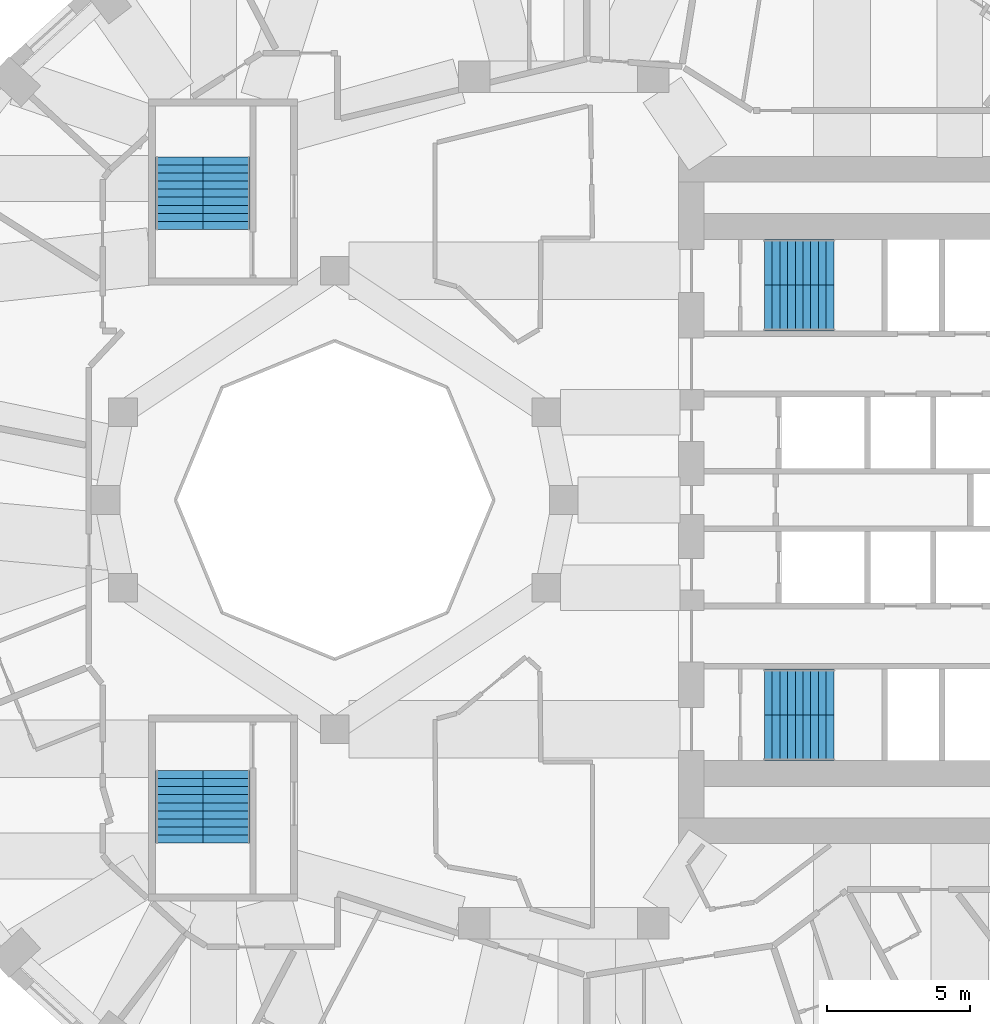
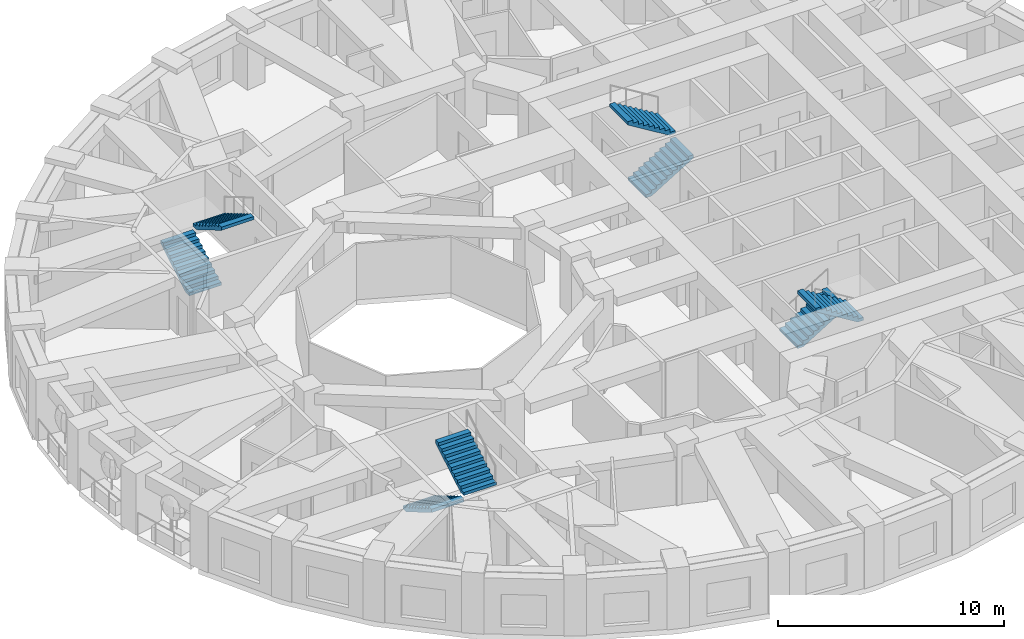
# One storey, part 9 of 12: 8 stair flights, 4 elements without a shape of their own.
"""IFC4 building model written with IfcOpenShell, lengths in metres."""

from ifc_helpers import new_model, si_unit, direction, frame, origin, place, context, subcontext, project, spatial, polyline, outline, extrude, material, type_object, element, aggregate, save


model = new_model("IFC4")

# Units and contexts
model_context = context("Model", 3, precision=1e-05, world=origin(), true_north=direction((0.0, 1.0)))
body_context = subcontext(model_context, "Body", "Model", "MODEL_VIEW")
ifc_project = project(units=[si_unit("LENGTHUNIT", "METRE"), si_unit("AREAUNIT", "SQUARE_METRE"), si_unit("VOLUMEUNIT", "CUBIC_METRE"), si_unit("PLANEANGLEUNIT", "RADIAN"), si_unit("MASSUNIT", "GRAM", prefix="KILO")], contexts=[model_context])

# Site, building, storey
site_placement = place(None, origin())
site = spatial("IfcSite", under=ifc_project, at=site_placement, CompositionType="ELEMENT")
building_placement = place(site_placement, origin())
building = spatial("IfcBuilding", under=site, at=building_placement, Name="Taillehof Tower", CompositionType="ELEMENT")
storey_placement = place(building_placement, frame((0.0, 0.0, 98.800048828125)))
storey = spatial("IfcBuildingStorey", under=building, at=storey_placement, Name="L27", CompositionType="ELEMENT", Elevation=98.800048828125)

# Stair, stair flights
ifc_material_1 = material(Name="Concrete C40/50", Category="concrete")
stair_type = type_object("IfcStairType", Name="Exit stair half-turn", PredefinedType="HALF_TURN_STAIR", material=ifc_material_1)
stair_1_placement = place(storey_placement, origin())
stair_1 = element("IfcStair", 1, at=stair_1_placement, inside=storey, type_object=stair_type, Name="Exit stair S1", PredefinedType="HALF_TURN_STAIR")
ifc_material_2 = material(Name="Concrete C40/50", Category="concrete")
stair_flight_type_1 = type_object("IfcStairFlightType", Name="Stair flight 1600 riser 165.0 going 270", PredefinedType="STRAIGHT", material=ifc_material_2)
stair_flight_1_placement = place(storey_placement, frame((7.0, 6.699951171875, 0.0), z_axis=(0.0, 0.0, 1.0), x_axis=(1.0, 0.0, 0.0)))
stair_flight_1 = element("IfcStairFlight", 2, at=stair_flight_1_placement, type_object=stair_flight_type_1, Name="S1 flight 1", NumberOfRisers=10, NumberOfTreads=9, PredefinedType="STRAIGHT", RiserHeight=0.165, TreadLength=0.27, context=body_context, shape_type="SweptSolid", body=[
    extrude(outline(polyline([(0.0, 0.0), (0.0, 0.00537109375), (0.0, 0.0107421875), (0.0, 0.015869140625), (0.0, 0.021240234375), (0.0, 0.026611328125), (0.0, 0.031982421875), (0.0, 0.037353515625), (0.0, 0.04248046875), (0.0, 0.0478515625), (0.0, 0.05322265625), (0.0, 0.05859375), (0.0, 0.06396484375), (0.0, 0.069091796875), (0.0, 0.074462890625), (0.0, 0.079833984375), (0.0, 0.085205078125), (0.0, 0.090576171875), (0.0, 0.095703125), (0.0, 0.10107421875), (0.0, 0.1064453125), (0.0, 0.11181640625), (0.0, 0.1171875), (0.0, 0.122314453125), (0.0, 0.127685546875), (0.0, 0.133056640625), (0.0, 0.138427734375), (0.0, 0.143798828125), (0.0, 0.14892578125), (0.0, 0.154296875), (0.0, 0.15966796875), (0.0, 0.1650390625), (0.27001953125, 0.1650390625), (0.27001953125, 0.330078125), (0.5400390625, 0.330078125), (0.5400390625, 0.4951171875), (0.81005859375, 0.4951171875), (0.81005859375, 0.659912109375), (1.080078125, 0.659912109375), (1.080078125, 0.824951171875), (1.35009765625, 0.824951171875), (1.35009765625, 0.989990234375), (1.6201171875, 0.989990234375), (1.6201171875, 1.155029296875), (1.889892578125, 1.155029296875), (1.889892578125, 1.320068359375), (2.159912109375, 1.320068359375), (2.159912109375, 1.485107421875), (2.429931640625, 1.485107421875), (2.429931640625, 1.479248046875), (2.429931640625, 1.4736328125), (2.429931640625, 1.468017578125), (2.429931640625, 1.46240234375), (2.429931640625, 1.45654296875), (2.429931640625, 1.450927734375), (2.429931640625, 1.4453125), (2.429931640625, 1.439697265625), (2.429931640625, 1.43408203125), (2.429931640625, 1.42822265625), (2.429931640625, 1.422607421875), (2.429931640625, 1.4169921875), (2.429931640625, 1.411376953125), (2.429931640625, 1.40576171875), (2.429931640625, 1.39990234375), (2.429931640625, 1.394287109375), (2.429931640625, 1.388671875), (2.429931640625, 1.383056640625), (2.429931640625, 1.37744140625), (2.429931640625, 1.37158203125), (2.429931640625, 1.365966796875), (2.429931640625, 1.3603515625), (2.429931640625, 1.354736328125), (2.429931640625, 1.348876953125), (2.429931640625, 1.34326171875), (2.429931640625, 1.337646484375), (2.429931640625, 1.33203125), (2.429931640625, 1.326416015625), (2.429931640625, 1.320556640625), (2.429931640625, 1.31494140625), (2.429931640625, 1.309326171875), (0.287353515625, 0.0), (0.0, 0.0)])), frame((0.0, 0.800048828125, 0.0), z_axis=(0.0, -1.0, 0.0), x_axis=(1.0, 0.0, 0.0)), (0.0, 0.0, 1.0), 1.6),
])
stair_flight_2_placement = place(storey_placement, frame((9.429931640625, 8.300048828125, 1.64990234375), z_axis=(0.0, 0.0, 1.0), x_axis=(-1.0, 0.0, 0.0)))
stair_flight_2 = element("IfcStairFlight", 3, at=stair_flight_2_placement, type_object=stair_flight_type_1, Name="S1 flight 2", NumberOfRisers=10, NumberOfTreads=9, PredefinedType="STRAIGHT", RiserHeight=0.165, TreadLength=0.27, context=body_context, shape_type="SweptSolid", body=[
    extrude(outline(polyline([(0.0, 0.0), (0.0, 0.00537109375), (0.0, 0.0107421875), (0.0, 0.015869140625), (0.0, 0.021240234375), (0.0, 0.026611328125), (0.0, 0.031982421875), (0.0, 0.037353515625), (0.0, 0.04248046875), (0.0, 0.0478515625), (0.0, 0.05322265625), (0.0, 0.05859375), (0.0, 0.06396484375), (0.0, 0.069091796875), (0.0, 0.074462890625), (0.0, 0.079833984375), (0.0, 0.085205078125), (0.0, 0.090576171875), (0.0, 0.095703125), (0.0, 0.10107421875), (0.0, 0.1064453125), (0.0, 0.11181640625), (0.0, 0.1171875), (0.0, 0.122314453125), (0.0, 0.127685546875), (0.0, 0.133056640625), (0.0, 0.138427734375), (0.0, 0.143798828125), (0.0, 0.14892578125), (0.0, 0.154296875), (0.0, 0.15966796875), (0.0, 0.1650390625), (0.27001953125, 0.1650390625), (0.27001953125, 0.330078125), (0.5400390625, 0.330078125), (0.5400390625, 0.4951171875), (0.81005859375, 0.4951171875), (0.81005859375, 0.659912109375), (1.080078125, 0.659912109375), (1.080078125, 0.824951171875), (1.35009765625, 0.824951171875), (1.35009765625, 0.989990234375), (1.6201171875, 0.989990234375), (1.6201171875, 1.155029296875), (1.889892578125, 1.155029296875), (1.889892578125, 1.320068359375), (2.159912109375, 1.320068359375), (2.159912109375, 1.485107421875), (2.429931640625, 1.485107421875), (2.429931640625, 1.479248046875), (2.429931640625, 1.4736328125), (2.429931640625, 1.468017578125), (2.429931640625, 1.46240234375), (2.429931640625, 1.45654296875), (2.429931640625, 1.450927734375), (2.429931640625, 1.4453125), (2.429931640625, 1.439697265625), (2.429931640625, 1.43408203125), (2.429931640625, 1.42822265625), (2.429931640625, 1.422607421875), (2.429931640625, 1.4169921875), (2.429931640625, 1.411376953125), (2.429931640625, 1.40576171875), (2.429931640625, 1.39990234375), (2.429931640625, 1.394287109375), (2.429931640625, 1.388671875), (2.429931640625, 1.383056640625), (2.429931640625, 1.37744140625), (2.429931640625, 1.37158203125), (2.429931640625, 1.365966796875), (2.429931640625, 1.3603515625), (2.429931640625, 1.354736328125), (2.429931640625, 1.348876953125), (2.429931640625, 1.34326171875), (2.429931640625, 1.337646484375), (2.429931640625, 1.33203125), (2.429931640625, 1.326416015625), (2.429931640625, 1.320556640625), (2.429931640625, 1.31494140625), (2.429931640625, 1.309326171875), (0.287353515625, 0.0), (0.0, 0.0)])), frame((0.0, 0.800048828125, 0.0), z_axis=(0.0, -1.0, 0.0), x_axis=(1.0, 0.0, 0.0)), (0.0, 0.0, 1.0), 1.6),
])
aggregate(stair_1, [stair_flight_1, stair_flight_2])

stair_2_placement = place(storey_placement, origin())
stair_2 = element("IfcStair", 4, at=stair_2_placement, inside=storey, type_object=stair_type, Name="Exit stair S2", PredefinedType="HALF_TURN_STAIR")
stair_flight_3_placement = place(storey_placement, frame((7.0, -6.699951171875, 0.0), z_axis=(0.0, 0.0, 1.0), x_axis=(1.0, 0.0, 0.0)))
stair_flight_3 = element("IfcStairFlight", 5, at=stair_flight_3_placement, type_object=stair_flight_type_1, Name="S2 flight 1", NumberOfRisers=10, NumberOfTreads=9, PredefinedType="STRAIGHT", RiserHeight=0.165, TreadLength=0.27, context=body_context, shape_type="SweptSolid", body=[
    extrude(outline(polyline([(0.0, 0.0), (0.0, 0.00537109375), (0.0, 0.0107421875), (0.0, 0.015869140625), (0.0, 0.021240234375), (0.0, 0.026611328125), (0.0, 0.031982421875), (0.0, 0.037353515625), (0.0, 0.04248046875), (0.0, 0.0478515625), (0.0, 0.05322265625), (0.0, 0.05859375), (0.0, 0.06396484375), (0.0, 0.069091796875), (0.0, 0.074462890625), (0.0, 0.079833984375), (0.0, 0.085205078125), (0.0, 0.090576171875), (0.0, 0.095703125), (0.0, 0.10107421875), (0.0, 0.1064453125), (0.0, 0.11181640625), (0.0, 0.1171875), (0.0, 0.122314453125), (0.0, 0.127685546875), (0.0, 0.133056640625), (0.0, 0.138427734375), (0.0, 0.143798828125), (0.0, 0.14892578125), (0.0, 0.154296875), (0.0, 0.15966796875), (0.0, 0.1650390625), (0.27001953125, 0.1650390625), (0.27001953125, 0.330078125), (0.5400390625, 0.330078125), (0.5400390625, 0.4951171875), (0.81005859375, 0.4951171875), (0.81005859375, 0.659912109375), (1.080078125, 0.659912109375), (1.080078125, 0.824951171875), (1.35009765625, 0.824951171875), (1.35009765625, 0.989990234375), (1.6201171875, 0.989990234375), (1.6201171875, 1.155029296875), (1.889892578125, 1.155029296875), (1.889892578125, 1.320068359375), (2.159912109375, 1.320068359375), (2.159912109375, 1.485107421875), (2.429931640625, 1.485107421875), (2.429931640625, 1.479248046875), (2.429931640625, 1.4736328125), (2.429931640625, 1.468017578125), (2.429931640625, 1.46240234375), (2.429931640625, 1.45654296875), (2.429931640625, 1.450927734375), (2.429931640625, 1.4453125), (2.429931640625, 1.439697265625), (2.429931640625, 1.43408203125), (2.429931640625, 1.42822265625), (2.429931640625, 1.422607421875), (2.429931640625, 1.4169921875), (2.429931640625, 1.411376953125), (2.429931640625, 1.40576171875), (2.429931640625, 1.39990234375), (2.429931640625, 1.394287109375), (2.429931640625, 1.388671875), (2.429931640625, 1.383056640625), (2.429931640625, 1.37744140625), (2.429931640625, 1.37158203125), (2.429931640625, 1.365966796875), (2.429931640625, 1.3603515625), (2.429931640625, 1.354736328125), (2.429931640625, 1.348876953125), (2.429931640625, 1.34326171875), (2.429931640625, 1.337646484375), (2.429931640625, 1.33203125), (2.429931640625, 1.326416015625), (2.429931640625, 1.320556640625), (2.429931640625, 1.31494140625), (2.429931640625, 1.309326171875), (0.287353515625, 0.0), (0.0, 0.0)])), frame((0.0, 0.800048828125, 0.0), z_axis=(0.0, -1.0, 0.0), x_axis=(1.0, 0.0, 0.0)), (0.0, 0.0, 1.0), 1.6),
])
stair_flight_4_placement = place(storey_placement, frame((9.429931640625, -8.300048828125, 1.64990234375), z_axis=(0.0, 0.0, 1.0), x_axis=(-1.0, 0.0, 0.0)))
stair_flight_4 = element("IfcStairFlight", 6, at=stair_flight_4_placement, type_object=stair_flight_type_1, Name="S2 flight 2", NumberOfRisers=10, NumberOfTreads=9, PredefinedType="STRAIGHT", RiserHeight=0.165, TreadLength=0.27, context=body_context, shape_type="SweptSolid", body=[
    extrude(outline(polyline([(0.0, 0.0), (0.0, 0.00537109375), (0.0, 0.0107421875), (0.0, 0.015869140625), (0.0, 0.021240234375), (0.0, 0.026611328125), (0.0, 0.031982421875), (0.0, 0.037353515625), (0.0, 0.04248046875), (0.0, 0.0478515625), (0.0, 0.05322265625), (0.0, 0.05859375), (0.0, 0.06396484375), (0.0, 0.069091796875), (0.0, 0.074462890625), (0.0, 0.079833984375), (0.0, 0.085205078125), (0.0, 0.090576171875), (0.0, 0.095703125), (0.0, 0.10107421875), (0.0, 0.1064453125), (0.0, 0.11181640625), (0.0, 0.1171875), (0.0, 0.122314453125), (0.0, 0.127685546875), (0.0, 0.133056640625), (0.0, 0.138427734375), (0.0, 0.143798828125), (0.0, 0.14892578125), (0.0, 0.154296875), (0.0, 0.15966796875), (0.0, 0.1650390625), (0.27001953125, 0.1650390625), (0.27001953125, 0.330078125), (0.5400390625, 0.330078125), (0.5400390625, 0.4951171875), (0.81005859375, 0.4951171875), (0.81005859375, 0.659912109375), (1.080078125, 0.659912109375), (1.080078125, 0.824951171875), (1.35009765625, 0.824951171875), (1.35009765625, 0.989990234375), (1.6201171875, 0.989990234375), (1.6201171875, 1.155029296875), (1.889892578125, 1.155029296875), (1.889892578125, 1.320068359375), (2.159912109375, 1.320068359375), (2.159912109375, 1.485107421875), (2.429931640625, 1.485107421875), (2.429931640625, 1.479248046875), (2.429931640625, 1.4736328125), (2.429931640625, 1.468017578125), (2.429931640625, 1.46240234375), (2.429931640625, 1.45654296875), (2.429931640625, 1.450927734375), (2.429931640625, 1.4453125), (2.429931640625, 1.439697265625), (2.429931640625, 1.43408203125), (2.429931640625, 1.42822265625), (2.429931640625, 1.422607421875), (2.429931640625, 1.4169921875), (2.429931640625, 1.411376953125), (2.429931640625, 1.40576171875), (2.429931640625, 1.39990234375), (2.429931640625, 1.394287109375), (2.429931640625, 1.388671875), (2.429931640625, 1.383056640625), (2.429931640625, 1.37744140625), (2.429931640625, 1.37158203125), (2.429931640625, 1.365966796875), (2.429931640625, 1.3603515625), (2.429931640625, 1.354736328125), (2.429931640625, 1.348876953125), (2.429931640625, 1.34326171875), (2.429931640625, 1.337646484375), (2.429931640625, 1.33203125), (2.429931640625, 1.326416015625), (2.429931640625, 1.320556640625), (2.429931640625, 1.31494140625), (2.429931640625, 1.309326171875), (0.287353515625, 0.0), (0.0, 0.0)])), frame((0.0, 0.800048828125, 0.0), z_axis=(0.0, -1.0, 0.0), x_axis=(1.0, 0.0, 0.0)), (0.0, 0.0, 1.0), 1.6),
])
aggregate(stair_2, [stair_flight_3, stair_flight_4])

stair_3_placement = place(storey_placement, origin())
stair_3 = element("IfcStair", 7, at=stair_3_placement, inside=storey, type_object=stair_type, Name="Exit stair S3", PredefinedType="HALF_TURN_STAIR")
ifc_material_3 = material(Name="Concrete C40/50", Category="concrete")
stair_flight_type_2 = type_object("IfcStairFlightType", Name="Stair flight 1650 riser 165.0 going 280", PredefinedType="STRAIGHT", material=ifc_material_3)
stair_flight_5_placement = place(storey_placement, frame((-13.425048828125, 9.449951171875, 0.0), z_axis=(0.0, 0.0, 1.0), x_axis=(0.0, 1.0, 0.0)))
stair_flight_5 = element("IfcStairFlight", 8, at=stair_flight_5_placement, type_object=stair_flight_type_2, Name="S3 flight 1", NumberOfRisers=10, NumberOfTreads=9, PredefinedType="STRAIGHT", RiserHeight=0.165, TreadLength=0.28, context=body_context, shape_type="SweptSolid", body=[
    extrude(outline(polyline([(0.0, 0.0), (0.0, 0.00537109375), (0.0, 0.0107421875), (0.0, 0.015869140625), (0.0, 0.021240234375), (0.0, 0.026611328125), (0.0, 0.031982421875), (0.0, 0.037353515625), (0.0, 0.04248046875), (0.0, 0.0478515625), (0.0, 0.05322265625), (0.0, 0.05859375), (0.0, 0.06396484375), (0.0, 0.069091796875), (0.0, 0.074462890625), (0.0, 0.079833984375), (0.0, 0.085205078125), (0.0, 0.090576171875), (0.0, 0.095703125), (0.0, 0.10107421875), (0.0, 0.1064453125), (0.0, 0.11181640625), (0.0, 0.1171875), (0.0, 0.122314453125), (0.0, 0.127685546875), (0.0, 0.133056640625), (0.0, 0.138427734375), (0.0, 0.143798828125), (0.0, 0.14892578125), (0.0, 0.154296875), (0.0, 0.15966796875), (0.0, 0.1650390625), (0.280029296875, 0.1650390625), (0.280029296875, 0.330078125), (0.56005859375, 0.330078125), (0.56005859375, 0.4951171875), (0.840087890625, 0.4951171875), (0.840087890625, 0.659912109375), (1.1201171875, 0.659912109375), (1.1201171875, 0.824951171875), (1.39990234375, 0.824951171875), (1.39990234375, 0.989990234375), (1.679931640625, 0.989990234375), (1.679931640625, 1.155029296875), (1.9599609375, 1.155029296875), (1.9599609375, 1.320068359375), (2.239990234375, 1.320068359375), (2.239990234375, 1.485107421875), (2.52001953125, 1.485107421875), (2.52001953125, 1.4794921875), (2.52001953125, 1.473876953125), (2.52001953125, 1.46826171875), (2.52001953125, 1.462646484375), (2.52001953125, 1.45703125), (2.52001953125, 1.451416015625), (2.52001953125, 1.44580078125), (2.52001953125, 1.440185546875), (2.52001953125, 1.4345703125), (2.52001953125, 1.428955078125), (2.52001953125, 1.42333984375), (2.52001953125, 1.417724609375), (2.52001953125, 1.412109375), (2.52001953125, 1.406494140625), (2.52001953125, 1.40087890625), (2.52001953125, 1.395263671875), (2.52001953125, 1.3896484375), (2.52001953125, 1.384033203125), (2.52001953125, 1.37841796875), (2.52001953125, 1.372802734375), (2.52001953125, 1.3671875), (2.52001953125, 1.361572265625), (2.52001953125, 1.35595703125), (2.52001953125, 1.350341796875), (2.52001953125, 1.3447265625), (2.52001953125, 1.339111328125), (2.52001953125, 1.33349609375), (2.52001953125, 1.327880859375), (2.52001953125, 1.322265625), (2.52001953125, 1.316650390625), (2.52001953125, 1.31103515625), (0.295166015625, 0.0), (0.0, 0.0)])), frame((0.0, 0.824951171875, 0.0), z_axis=(0.0, -1.0, 0.0), x_axis=(1.0, 0.0, 0.0)), (0.0, 0.0, 1.0), 1.65),
])
stair_flight_6_placement = place(storey_placement, frame((-11.77490234375, 11.969970703125, 1.64990234375), z_axis=(0.0, 0.0, 1.0), x_axis=(0.0, -1.0, 0.0)))
stair_flight_6 = element("IfcStairFlight", 9, at=stair_flight_6_placement, type_object=stair_flight_type_2, Name="S3 flight 2", NumberOfRisers=10, NumberOfTreads=9, PredefinedType="STRAIGHT", RiserHeight=0.165, TreadLength=0.28, context=body_context, shape_type="SweptSolid", body=[
    extrude(outline(polyline([(0.0, 0.0), (0.0, 0.00537109375), (0.0, 0.0107421875), (0.0, 0.015869140625), (0.0, 0.021240234375), (0.0, 0.026611328125), (0.0, 0.031982421875), (0.0, 0.037353515625), (0.0, 0.04248046875), (0.0, 0.0478515625), (0.0, 0.05322265625), (0.0, 0.05859375), (0.0, 0.06396484375), (0.0, 0.069091796875), (0.0, 0.074462890625), (0.0, 0.079833984375), (0.0, 0.085205078125), (0.0, 0.090576171875), (0.0, 0.095703125), (0.0, 0.10107421875), (0.0, 0.1064453125), (0.0, 0.11181640625), (0.0, 0.1171875), (0.0, 0.122314453125), (0.0, 0.127685546875), (0.0, 0.133056640625), (0.0, 0.138427734375), (0.0, 0.143798828125), (0.0, 0.14892578125), (0.0, 0.154296875), (0.0, 0.15966796875), (0.0, 0.1650390625), (0.280029296875, 0.1650390625), (0.280029296875, 0.330078125), (0.56005859375, 0.330078125), (0.56005859375, 0.4951171875), (0.840087890625, 0.4951171875), (0.840087890625, 0.659912109375), (1.1201171875, 0.659912109375), (1.1201171875, 0.824951171875), (1.39990234375, 0.824951171875), (1.39990234375, 0.989990234375), (1.679931640625, 0.989990234375), (1.679931640625, 1.155029296875), (1.9599609375, 1.155029296875), (1.9599609375, 1.320068359375), (2.239990234375, 1.320068359375), (2.239990234375, 1.485107421875), (2.52001953125, 1.485107421875), (2.52001953125, 1.4794921875), (2.52001953125, 1.473876953125), (2.52001953125, 1.46826171875), (2.52001953125, 1.462646484375), (2.52001953125, 1.45703125), (2.52001953125, 1.451416015625), (2.52001953125, 1.44580078125), (2.52001953125, 1.440185546875), (2.52001953125, 1.4345703125), (2.52001953125, 1.428955078125), (2.52001953125, 1.42333984375), (2.52001953125, 1.417724609375), (2.52001953125, 1.412109375), (2.52001953125, 1.406494140625), (2.52001953125, 1.40087890625), (2.52001953125, 1.395263671875), (2.52001953125, 1.3896484375), (2.52001953125, 1.384033203125), (2.52001953125, 1.37841796875), (2.52001953125, 1.372802734375), (2.52001953125, 1.3671875), (2.52001953125, 1.361572265625), (2.52001953125, 1.35595703125), (2.52001953125, 1.350341796875), (2.52001953125, 1.3447265625), (2.52001953125, 1.339111328125), (2.52001953125, 1.33349609375), (2.52001953125, 1.327880859375), (2.52001953125, 1.322265625), (2.52001953125, 1.316650390625), (2.52001953125, 1.31103515625), (0.295166015625, 0.0), (0.0, 0.0)])), frame((0.0, 0.824951171875, 0.0), z_axis=(0.0, -1.0, 0.0), x_axis=(1.0, 0.0, 0.0)), (0.0, 0.0, 1.0), 1.65),
])
aggregate(stair_3, [stair_flight_5, stair_flight_6])

stair_4_placement = place(storey_placement, origin())
stair_4 = element("IfcStair", 10, at=stair_4_placement, inside=storey, type_object=stair_type, Name="Exit stair S4", PredefinedType="HALF_TURN_STAIR")
stair_flight_7_placement = place(storey_placement, frame((-13.425048828125, -9.449951171875, 0.0), z_axis=(0.0, 0.0, 1.0), x_axis=(0.0, -1.0, 0.0)))
stair_flight_7 = element("IfcStairFlight", 11, at=stair_flight_7_placement, type_object=stair_flight_type_2, Name="S4 flight 1", NumberOfRisers=10, NumberOfTreads=9, PredefinedType="STRAIGHT", RiserHeight=0.165, TreadLength=0.28, context=body_context, shape_type="SweptSolid", body=[
    extrude(outline(polyline([(0.0, 0.0), (0.0, 0.00537109375), (0.0, 0.0107421875), (0.0, 0.015869140625), (0.0, 0.021240234375), (0.0, 0.026611328125), (0.0, 0.031982421875), (0.0, 0.037353515625), (0.0, 0.04248046875), (0.0, 0.0478515625), (0.0, 0.05322265625), (0.0, 0.05859375), (0.0, 0.06396484375), (0.0, 0.069091796875), (0.0, 0.074462890625), (0.0, 0.079833984375), (0.0, 0.085205078125), (0.0, 0.090576171875), (0.0, 0.095703125), (0.0, 0.10107421875), (0.0, 0.1064453125), (0.0, 0.11181640625), (0.0, 0.1171875), (0.0, 0.122314453125), (0.0, 0.127685546875), (0.0, 0.133056640625), (0.0, 0.138427734375), (0.0, 0.143798828125), (0.0, 0.14892578125), (0.0, 0.154296875), (0.0, 0.15966796875), (0.0, 0.1650390625), (0.280029296875, 0.1650390625), (0.280029296875, 0.330078125), (0.56005859375, 0.330078125), (0.56005859375, 0.4951171875), (0.840087890625, 0.4951171875), (0.840087890625, 0.659912109375), (1.1201171875, 0.659912109375), (1.1201171875, 0.824951171875), (1.39990234375, 0.824951171875), (1.39990234375, 0.989990234375), (1.679931640625, 0.989990234375), (1.679931640625, 1.155029296875), (1.9599609375, 1.155029296875), (1.9599609375, 1.320068359375), (2.239990234375, 1.320068359375), (2.239990234375, 1.485107421875), (2.52001953125, 1.485107421875), (2.52001953125, 1.4794921875), (2.52001953125, 1.473876953125), (2.52001953125, 1.46826171875), (2.52001953125, 1.462646484375), (2.52001953125, 1.45703125), (2.52001953125, 1.451416015625), (2.52001953125, 1.44580078125), (2.52001953125, 1.440185546875), (2.52001953125, 1.4345703125), (2.52001953125, 1.428955078125), (2.52001953125, 1.42333984375), (2.52001953125, 1.417724609375), (2.52001953125, 1.412109375), (2.52001953125, 1.406494140625), (2.52001953125, 1.40087890625), (2.52001953125, 1.395263671875), (2.52001953125, 1.3896484375), (2.52001953125, 1.384033203125), (2.52001953125, 1.37841796875), (2.52001953125, 1.372802734375), (2.52001953125, 1.3671875), (2.52001953125, 1.361572265625), (2.52001953125, 1.35595703125), (2.52001953125, 1.350341796875), (2.52001953125, 1.3447265625), (2.52001953125, 1.339111328125), (2.52001953125, 1.33349609375), (2.52001953125, 1.327880859375), (2.52001953125, 1.322265625), (2.52001953125, 1.316650390625), (2.52001953125, 1.31103515625), (0.295166015625, 0.0), (0.0, 0.0)])), frame((0.0, 0.824951171875, 0.0), z_axis=(0.0, -1.0, 0.0), x_axis=(1.0, 0.0, 0.0)), (0.0, 0.0, 1.0), 1.65),
])
stair_flight_8_placement = place(storey_placement, frame((-11.77490234375, -11.969970703125, 1.64990234375), z_axis=(0.0, 0.0, 1.0), x_axis=(0.0, 1.0, 0.0)))
stair_flight_8 = element("IfcStairFlight", 12, at=stair_flight_8_placement, type_object=stair_flight_type_2, Name="S4 flight 2", NumberOfRisers=10, NumberOfTreads=9, PredefinedType="STRAIGHT", RiserHeight=0.165, TreadLength=0.28, context=body_context, shape_type="SweptSolid", body=[
    extrude(outline(polyline([(0.0, 0.0), (0.0, 0.00537109375), (0.0, 0.0107421875), (0.0, 0.015869140625), (0.0, 0.021240234375), (0.0, 0.026611328125), (0.0, 0.031982421875), (0.0, 0.037353515625), (0.0, 0.04248046875), (0.0, 0.0478515625), (0.0, 0.05322265625), (0.0, 0.05859375), (0.0, 0.06396484375), (0.0, 0.069091796875), (0.0, 0.074462890625), (0.0, 0.079833984375), (0.0, 0.085205078125), (0.0, 0.090576171875), (0.0, 0.095703125), (0.0, 0.10107421875), (0.0, 0.1064453125), (0.0, 0.11181640625), (0.0, 0.1171875), (0.0, 0.122314453125), (0.0, 0.127685546875), (0.0, 0.133056640625), (0.0, 0.138427734375), (0.0, 0.143798828125), (0.0, 0.14892578125), (0.0, 0.154296875), (0.0, 0.15966796875), (0.0, 0.1650390625), (0.280029296875, 0.1650390625), (0.280029296875, 0.330078125), (0.56005859375, 0.330078125), (0.56005859375, 0.4951171875), (0.840087890625, 0.4951171875), (0.840087890625, 0.659912109375), (1.1201171875, 0.659912109375), (1.1201171875, 0.824951171875), (1.39990234375, 0.824951171875), (1.39990234375, 0.989990234375), (1.679931640625, 0.989990234375), (1.679931640625, 1.155029296875), (1.9599609375, 1.155029296875), (1.9599609375, 1.320068359375), (2.239990234375, 1.320068359375), (2.239990234375, 1.485107421875), (2.52001953125, 1.485107421875), (2.52001953125, 1.4794921875), (2.52001953125, 1.473876953125), (2.52001953125, 1.46826171875), (2.52001953125, 1.462646484375), (2.52001953125, 1.45703125), (2.52001953125, 1.451416015625), (2.52001953125, 1.44580078125), (2.52001953125, 1.440185546875), (2.52001953125, 1.4345703125), (2.52001953125, 1.428955078125), (2.52001953125, 1.42333984375), (2.52001953125, 1.417724609375), (2.52001953125, 1.412109375), (2.52001953125, 1.406494140625), (2.52001953125, 1.40087890625), (2.52001953125, 1.395263671875), (2.52001953125, 1.3896484375), (2.52001953125, 1.384033203125), (2.52001953125, 1.37841796875), (2.52001953125, 1.372802734375), (2.52001953125, 1.3671875), (2.52001953125, 1.361572265625), (2.52001953125, 1.35595703125), (2.52001953125, 1.350341796875), (2.52001953125, 1.3447265625), (2.52001953125, 1.339111328125), (2.52001953125, 1.33349609375), (2.52001953125, 1.327880859375), (2.52001953125, 1.322265625), (2.52001953125, 1.316650390625), (2.52001953125, 1.31103515625), (0.295166015625, 0.0), (0.0, 0.0)])), frame((0.0, 0.824951171875, 0.0), z_axis=(0.0, -1.0, 0.0), x_axis=(1.0, 0.0, 0.0)), (0.0, 0.0, 1.0), 1.65),
])
aggregate(stair_4, [stair_flight_7, stair_flight_8])

save(model, "model.ifc")
